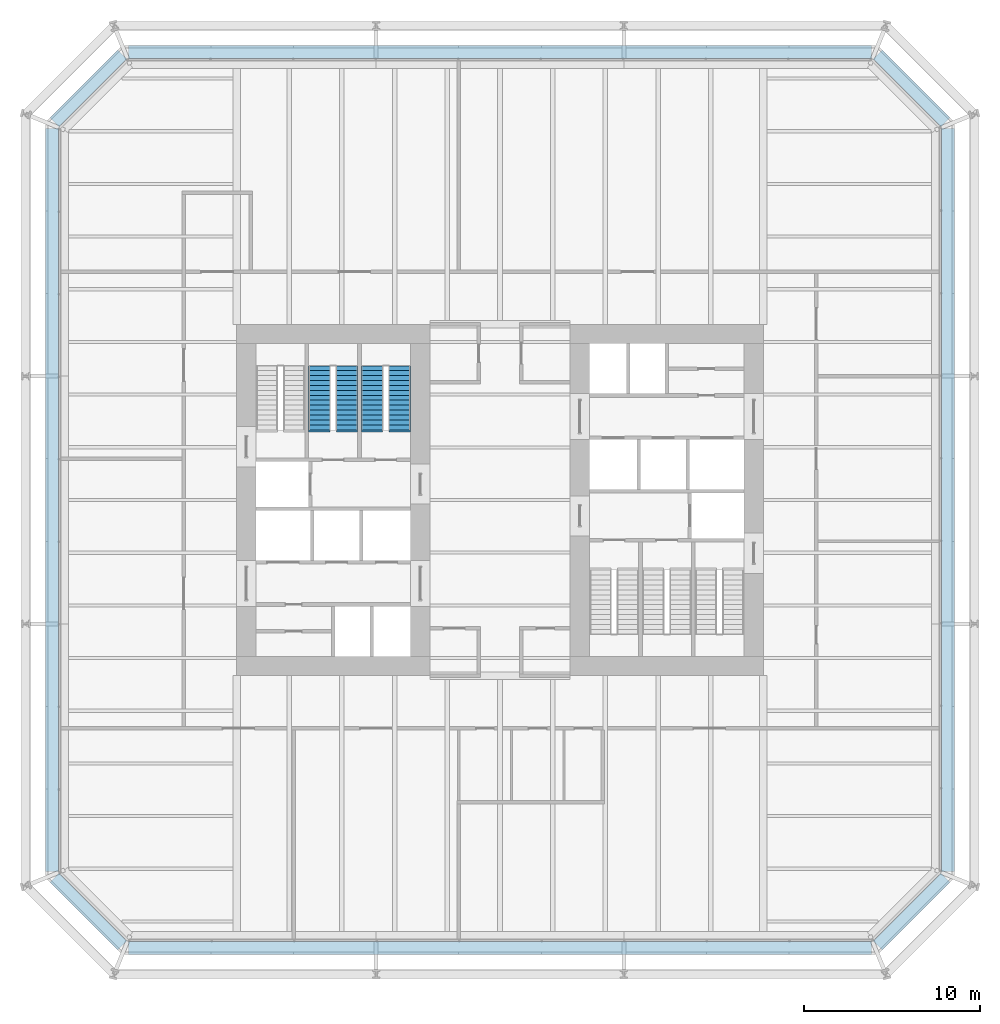
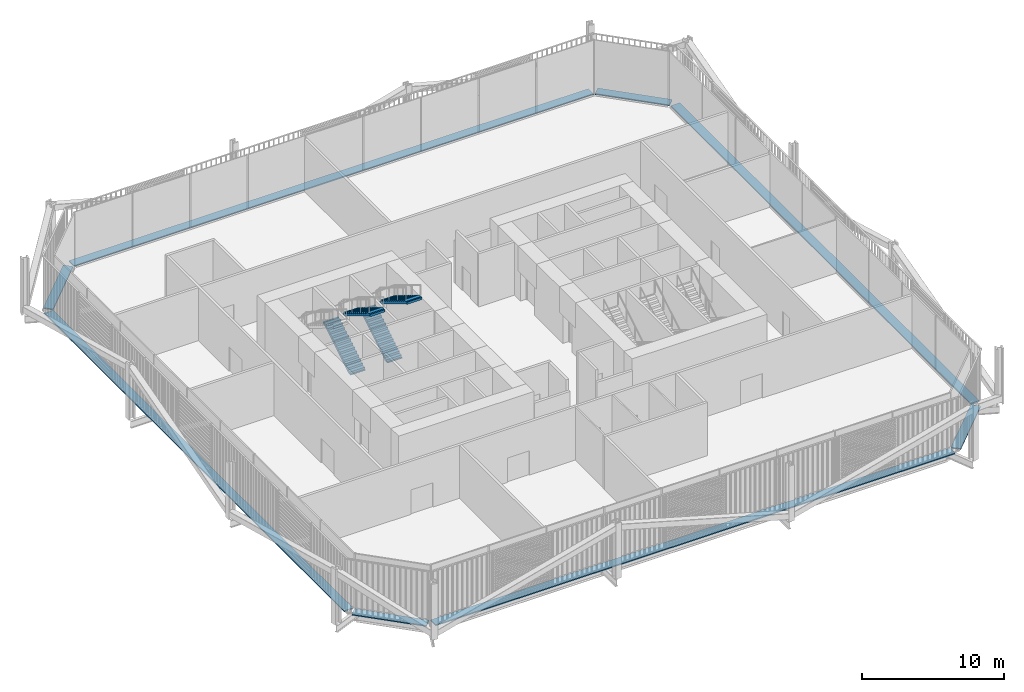
# One storey, part 21 of 22: 8 discrete accessories, 4 stair flights, 2 elements without a shape of their own.
"""IFC4 building model written with IfcOpenShell, lengths in metres."""

from ifc_helpers import new_model, si_unit, direction, frame, origin, origin_2d, place, context, subcontext, project, spatial, polyline, rectangle, outline, extrude, material, type_object, element, aggregate, save


model = new_model("IFC4")

# Units and contexts
model_context = context("Model", 3, precision=1e-05, world=origin(), true_north=direction((0.0, 1.0)))
body_context = subcontext(model_context, "Body", "Model", "MODEL_VIEW")
ifc_project = project(units=[si_unit("LENGTHUNIT", "METRE"), si_unit("AREAUNIT", "SQUARE_METRE"), si_unit("VOLUMEUNIT", "CUBIC_METRE"), si_unit("PLANEANGLEUNIT", "RADIAN"), si_unit("MASSUNIT", "GRAM", prefix="KILO")], contexts=[model_context])

# Site, building, storey
site_placement = place(None, origin())
site = spatial("IfcSite", under=ifc_project, at=site_placement, CompositionType="ELEMENT")
building_placement = place(site_placement, origin())
building = spatial("IfcBuilding", under=site, at=building_placement, Name="Millrace Tower", CompositionType="ELEMENT")
storey_placement = place(building_placement, frame((0.0, 0.0, 30.5)))
storey = spatial("IfcBuildingStorey", under=building, at=storey_placement, Name="L07", CompositionType="ELEMENT", Elevation=30.5)

# Stair, stair flights
ifc_material_1 = material(Name="Concrete C35", Category="concrete")
stair_type = type_object("IfcStairType", Name="Exit stair", PredefinedType="HALF_TURN_STAIR", material=ifc_material_1)
placement = place(storey_placement, origin())
stair_1 = element("IfcStair", 1, at=placement, inside=storey, type_object=stair_type, Name="Stair 2 W L07", PredefinedType="HALF_TURN_STAIR")
ifc_material_2 = material(Name="Concrete C35", Category="concrete")
stair_flight_type = type_object("IfcStairFlightType", Name="Exit stair flight", PredefinedType="STRAIGHT", material=ifc_material_2)
stair_flight_1_placement = place(storey_placement, frame((-10.2900390625, 4.0, 0.0), z_axis=(0.0, 0.0, 1.0), x_axis=(0.0, 1.0, 0.0)))
stair_flight_1 = element("IfcStairFlight", 2, at=stair_flight_1_placement, type_object=stair_flight_type, Name="ST12 flight 1", NumberOfRisers=14, NumberOfTreads=13, PredefinedType="STRAIGHT", RiserHeight=0.171428571, TreadLength=0.28, context=body_context, shape_type="SweptSolid", body=[
    extrude(outline(polyline([(-0.1201171875, -0.0400390625), (-0.1201171875, 0.0), (0.0, 0.0), (0.0, 0.17138671875), (0.280029296875, 0.17138671875), (0.280029296875, 0.3427734375), (0.56005859375, 0.3427734375), (0.56005859375, 0.514404296875), (0.840087890625, 0.514404296875), (0.840087890625, 0.685791015625), (1.1201171875, 0.685791015625), (1.1201171875, 0.857177734375), (1.39990234375, 0.857177734375), (1.39990234375, 1.028564453125), (1.679931640625, 1.028564453125), (1.679931640625, 1.199951171875), (1.9599609375, 1.199951171875), (1.9599609375, 1.371337890625), (2.239990234375, 1.371337890625), (2.239990234375, 1.54296875), (2.52001953125, 1.54296875), (2.52001953125, 1.71435546875), (2.800048828125, 1.71435546875), (2.800048828125, 1.8857421875), (3.080078125, 1.8857421875), (3.080078125, 2.05712890625), (3.360107421875, 2.05712890625), (3.360107421875, 2.228515625), (3.639892578125, 2.228515625), (3.639892578125, 2.24853515625), (3.760009765625, 2.24853515625), (3.760009765625, 2.052734375), (3.639892578125, 2.052734375), (0.287109375, 0.0), (0.287109375, -0.0400390625), (-0.1201171875, -0.0400390625)])), frame((0.0, 0.60986328125, 0.0), z_axis=(0.0, -1.0, 0.0), x_axis=(1.0, 0.0, 0.0)), (0.0, 0.0, 1.0), 1.219970703125),
])
stair_flight_2_placement = place(storey_placement, frame((-8.7099609375, 7.639892578125, 2.39990234375), z_axis=(0.0, 0.0, 1.0), x_axis=(0.0, -1.0, 0.0)))
stair_flight_2 = element("IfcStairFlight", 3, at=stair_flight_2_placement, type_object=stair_flight_type, Name="ST12 flight 2", NumberOfRisers=14, NumberOfTreads=13, PredefinedType="STRAIGHT", RiserHeight=0.171428571, TreadLength=0.28, context=body_context, shape_type="SweptSolid", body=[
    extrude(outline(polyline([(-0.1201171875, -0.0400390625), (-0.1201171875, 0.0), (0.0, 0.0), (0.0, 0.17138671875), (0.280029296875, 0.17138671875), (0.280029296875, 0.3427734375), (0.56005859375, 0.3427734375), (0.56005859375, 0.514404296875), (0.840087890625, 0.514404296875), (0.840087890625, 0.685791015625), (1.1201171875, 0.685791015625), (1.1201171875, 0.857177734375), (1.39990234375, 0.857177734375), (1.39990234375, 1.028564453125), (1.679931640625, 1.028564453125), (1.679931640625, 1.199951171875), (1.9599609375, 1.199951171875), (1.9599609375, 1.371337890625), (2.239990234375, 1.371337890625), (2.239990234375, 1.54296875), (2.52001953125, 1.54296875), (2.52001953125, 1.71435546875), (2.800048828125, 1.71435546875), (2.800048828125, 1.8857421875), (3.080078125, 1.8857421875), (3.080078125, 2.05712890625), (3.360107421875, 2.05712890625), (3.360107421875, 2.228515625), (3.639892578125, 2.228515625), (3.639892578125, 2.24853515625), (3.760009765625, 2.24853515625), (3.760009765625, 2.052734375), (3.639892578125, 2.052734375), (0.287109375, 0.0), (0.287109375, -0.0400390625), (-0.1201171875, -0.0400390625)])), frame((0.0, 0.60986328125, 0.0), z_axis=(0.0, -1.0, 0.0), x_axis=(1.0, 0.0, 0.0)), (0.0, 0.0, 1.0), 1.219970703125),
])
aggregate(stair_1, [stair_flight_1, stair_flight_2])

stair_2 = element("IfcStair", 4, at=placement, inside=storey, type_object=stair_type, Name="Stair 3 W L07", PredefinedType="HALF_TURN_STAIR")
stair_flight_3_placement = place(storey_placement, frame((-7.2900390625, 4.0, 0.0), z_axis=(0.0, 0.0, 1.0), x_axis=(0.0, 1.0, 0.0)))
stair_flight_3 = element("IfcStairFlight", 5, at=stair_flight_3_placement, type_object=stair_flight_type, Name="ST12 flight 1", NumberOfRisers=14, NumberOfTreads=13, PredefinedType="STRAIGHT", RiserHeight=0.171428571, TreadLength=0.28, context=body_context, shape_type="SweptSolid", body=[
    extrude(outline(polyline([(-0.1201171875, -0.0400390625), (-0.1201171875, 0.0), (0.0, 0.0), (0.0, 0.17138671875), (0.280029296875, 0.17138671875), (0.280029296875, 0.3427734375), (0.56005859375, 0.3427734375), (0.56005859375, 0.514404296875), (0.840087890625, 0.514404296875), (0.840087890625, 0.685791015625), (1.1201171875, 0.685791015625), (1.1201171875, 0.857177734375), (1.39990234375, 0.857177734375), (1.39990234375, 1.028564453125), (1.679931640625, 1.028564453125), (1.679931640625, 1.199951171875), (1.9599609375, 1.199951171875), (1.9599609375, 1.371337890625), (2.239990234375, 1.371337890625), (2.239990234375, 1.54296875), (2.52001953125, 1.54296875), (2.52001953125, 1.71435546875), (2.800048828125, 1.71435546875), (2.800048828125, 1.8857421875), (3.080078125, 1.8857421875), (3.080078125, 2.05712890625), (3.360107421875, 2.05712890625), (3.360107421875, 2.228515625), (3.639892578125, 2.228515625), (3.639892578125, 2.24853515625), (3.760009765625, 2.24853515625), (3.760009765625, 2.052734375), (3.639892578125, 2.052734375), (0.287109375, 0.0), (0.287109375, -0.0400390625), (-0.1201171875, -0.0400390625)])), frame((0.0, 0.60986328125, 0.0), z_axis=(0.0, -1.0, 0.0), x_axis=(1.0, 0.0, 0.0)), (0.0, 0.0, 1.0), 1.219970703125),
])
stair_flight_4_placement = place(storey_placement, frame((-5.7099609375, 7.639892578125, 2.39990234375), z_axis=(0.0, 0.0, 1.0), x_axis=(0.0, -1.0, 0.0)))
stair_flight_4 = element("IfcStairFlight", 6, at=stair_flight_4_placement, type_object=stair_flight_type, Name="ST12 flight 2", NumberOfRisers=14, NumberOfTreads=13, PredefinedType="STRAIGHT", RiserHeight=0.171428571, TreadLength=0.28, context=body_context, shape_type="SweptSolid", body=[
    extrude(outline(polyline([(-0.1201171875, -0.0400390625), (-0.1201171875, 0.0), (0.0, 0.0), (0.0, 0.17138671875), (0.280029296875, 0.17138671875), (0.280029296875, 0.3427734375), (0.56005859375, 0.3427734375), (0.56005859375, 0.514404296875), (0.840087890625, 0.514404296875), (0.840087890625, 0.685791015625), (1.1201171875, 0.685791015625), (1.1201171875, 0.857177734375), (1.39990234375, 0.857177734375), (1.39990234375, 1.028564453125), (1.679931640625, 1.028564453125), (1.679931640625, 1.199951171875), (1.9599609375, 1.199951171875), (1.9599609375, 1.371337890625), (2.239990234375, 1.371337890625), (2.239990234375, 1.54296875), (2.52001953125, 1.54296875), (2.52001953125, 1.71435546875), (2.800048828125, 1.71435546875), (2.800048828125, 1.8857421875), (3.080078125, 1.8857421875), (3.080078125, 2.05712890625), (3.360107421875, 2.05712890625), (3.360107421875, 2.228515625), (3.639892578125, 2.228515625), (3.639892578125, 2.24853515625), (3.760009765625, 2.24853515625), (3.760009765625, 2.052734375), (3.639892578125, 2.052734375), (0.287109375, 0.0), (0.287109375, -0.0400390625), (-0.1201171875, -0.0400390625)])), frame((0.0, 0.60986328125, 0.0), z_axis=(0.0, -1.0, 0.0), x_axis=(1.0, 0.0, 0.0)), (0.0, 0.0, 1.0), 1.219970703125),
])
aggregate(stair_2, [stair_flight_3, stair_flight_4])

# Discrete accessories
ifc_material_3 = material(Name="Stainless steel ASTM A240 type 316", Category="steel")
discrete_accessory_type = type_object("IfcDiscreteAccessoryType", Name="Thermally broken screen support rail", PredefinedType="BRACKET", material=ifc_material_3)
discrete_accessory_1_placement = place(storey_placement, frame((-23.435546875, -23.435546875, 0.0), z_axis=(0.0, 0.0, 1.0), x_axis=(0.707106781187, -0.707106781187, 0.0)))
element("IfcDiscreteAccessory", 7, at=discrete_accessory_1_placement, inside=storey, type_object=discrete_accessory_type, Name="Thermally broken screen support rail A-F01 L07 1", PredefinedType="BRACKET", context=body_context, shape_type="SweptSolid", body=[
    extrude(rectangle(XDim=5.44482421875, YDim=0.719970703125, at=origin_2d()), origin(), (0.0, 0.0, 1.0), 0.10009765625),
])
discrete_accessory_2_placement = place(storey_placement, frame((0.0, -25.510009765625, 0.0), z_axis=(0.0, 0.0, 1.0), x_axis=(1.0, 0.0, 0.0)))
element("IfcDiscreteAccessory", 8, at=discrete_accessory_2_placement, inside=storey, type_object=discrete_accessory_type, Name="Thermally broken screen support rail A-F02 L07 1", PredefinedType="BRACKET", context=body_context, shape_type="SweptSolid", body=[
    extrude(rectangle(XDim=42.300048828125, YDim=0.719970703125, at=origin_2d()), origin(), (0.0, 0.0, 1.0), 0.10009765625),
])
discrete_accessory_3_placement = place(storey_placement, frame((23.435546875, -23.435546875, 0.0), z_axis=(0.0, 0.0, 1.0), x_axis=(0.707106781187, 0.707106781187, 0.0)))
element("IfcDiscreteAccessory", 9, at=discrete_accessory_3_placement, inside=storey, type_object=discrete_accessory_type, Name="Thermally broken screen support rail A-F03 L07 1", PredefinedType="BRACKET", context=body_context, shape_type="SweptSolid", body=[
    extrude(rectangle(XDim=5.44482421875, YDim=0.719970703125, at=origin_2d()), origin(), (0.0, 0.0, 1.0), 0.10009765625),
])
discrete_accessory_4_placement = place(storey_placement, frame((25.510009765625, 0.0, 0.0), z_axis=(0.0, 0.0, 1.0), x_axis=(0.0, 1.0, 0.0)))
element("IfcDiscreteAccessory", 10, at=discrete_accessory_4_placement, inside=storey, type_object=discrete_accessory_type, Name="Thermally broken screen support rail A-F04 L07 1", PredefinedType="BRACKET", context=body_context, shape_type="SweptSolid", body=[
    extrude(rectangle(XDim=42.300048828125, YDim=0.719970703125, at=origin_2d()), origin(), (0.0, 0.0, 1.0), 0.10009765625),
])
discrete_accessory_5_placement = place(storey_placement, frame((23.435546875, 23.435546875, 0.0), z_axis=(0.0, 0.0, 1.0), x_axis=(-0.707106781187, 0.707106781187, 0.0)))
element("IfcDiscreteAccessory", 11, at=discrete_accessory_5_placement, inside=storey, type_object=discrete_accessory_type, Name="Thermally broken screen support rail A-F05 L07 1", PredefinedType="BRACKET", context=body_context, shape_type="SweptSolid", body=[
    extrude(rectangle(XDim=5.44482421875, YDim=0.719970703125, at=origin_2d()), origin(), (0.0, 0.0, 1.0), 0.10009765625),
])
discrete_accessory_6_placement = place(storey_placement, frame((0.0, 25.510009765625, 0.0), z_axis=(0.0, 0.0, 1.0), x_axis=(-1.0, 0.0, 0.0)))
element("IfcDiscreteAccessory", 12, at=discrete_accessory_6_placement, inside=storey, type_object=discrete_accessory_type, Name="Thermally broken screen support rail A-F06 L07 1", PredefinedType="BRACKET", context=body_context, shape_type="SweptSolid", body=[
    extrude(rectangle(XDim=42.300048828125, YDim=0.719970703125, at=origin_2d()), origin(), (0.0, 0.0, 1.0), 0.10009765625),
])
discrete_accessory_7_placement = place(storey_placement, frame((-23.435546875, 23.435546875, 0.0), z_axis=(0.0, 0.0, 1.0), x_axis=(-0.707106781187, -0.707106781187, 0.0)))
element("IfcDiscreteAccessory", 13, at=discrete_accessory_7_placement, inside=storey, type_object=discrete_accessory_type, Name="Thermally broken screen support rail A-F07 L07 1", PredefinedType="BRACKET", context=body_context, shape_type="SweptSolid", body=[
    extrude(rectangle(XDim=5.44482421875, YDim=0.719970703125, at=origin_2d()), origin(), (0.0, 0.0, 1.0), 0.10009765625),
])
discrete_accessory_8_placement = place(storey_placement, frame((-25.510009765625, 0.0, 0.0), z_axis=(0.0, 0.0, 1.0), x_axis=(0.0, -1.0, 0.0)))
element("IfcDiscreteAccessory", 14, at=discrete_accessory_8_placement, inside=storey, type_object=discrete_accessory_type, Name="Thermally broken screen support rail A-F08 L07 1", PredefinedType="BRACKET", context=body_context, shape_type="SweptSolid", body=[
    extrude(rectangle(XDim=42.300048828125, YDim=0.719970703125, at=origin_2d()), origin(), (0.0, 0.0, 1.0), 0.10009765625),
])

save(model, "model.ifc")
